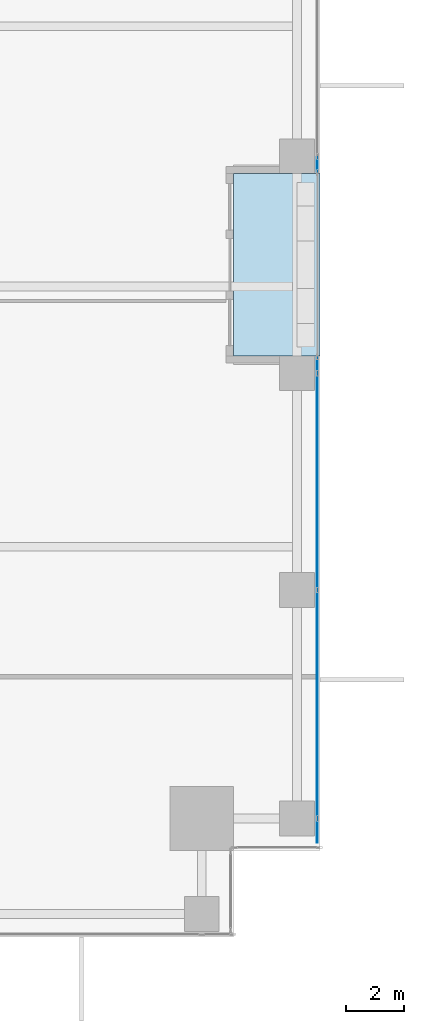
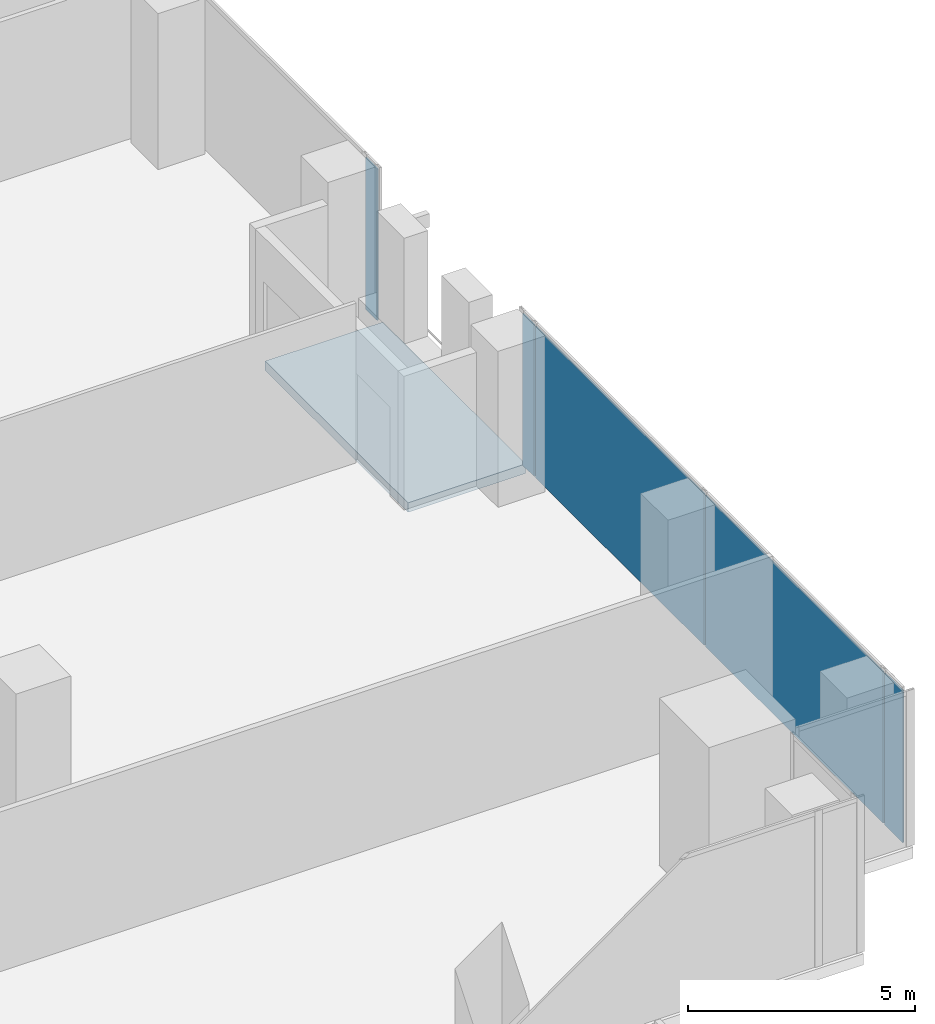
# One storey, part 24 of 33: 5 plates, 1 slab, 2 elements without a shape of their own.
"""IFC4 building model written with IfcOpenShell, lengths in metres."""

from ifc_helpers import new_model, si_unit, direction, frame, origin, origin_2d, place, context, subcontext, project, spatial, polyline, rectangle, outline, extrude, source, transform, mapped, material, layer, layer_set, type_object, element, aggregate, save


model = new_model("IFC4")

# Units and contexts
model_context = context("Model", 3, precision=1e-05, world=origin(), true_north=direction((0.0, 1.0)))
body_context = subcontext(model_context, "Body", "Model", "MODEL_VIEW")
ifc_project = project(units=[si_unit("LENGTHUNIT", "METRE"), si_unit("AREAUNIT", "SQUARE_METRE"), si_unit("VOLUMEUNIT", "CUBIC_METRE"), si_unit("PLANEANGLEUNIT", "RADIAN"), si_unit("MASSUNIT", "GRAM", prefix="KILO")], contexts=[model_context])

# Site, building, storey
site_placement = place(None, origin())
site = spatial("IfcSite", under=ifc_project, at=site_placement, CompositionType="ELEMENT")
building_placement = place(site_placement, origin())
building = spatial("IfcBuilding", under=site, at=building_placement, Name="Khomas Fold Tower", CompositionType="ELEMENT")
storey_placement = place(building_placement, frame((0.0, 0.0, 78.0)))
storey = spatial("IfcBuildingStorey", under=building, at=storey_placement, Name="L16", CompositionType="ELEMENT", Elevation=78.0)

# Curtain wall, plates
ifc_material_1 = material(Name="Aluminium framed double glazing", Category="aluminium")
curtain_wall_type = type_object("IfcCurtainWallType", Name="SK-Unitised clear-glass wall, growing floors CW1", PredefinedType="NOTDEFINED", material=ifc_material_1)
curtain_wall_1_placement = place(storey_placement, origin())
curtain_wall_1 = element("IfcCurtainWall", 1, at=curtain_wall_1_placement, inside=storey, type_object=curtain_wall_type, Name="CW1 run L16 03-0", PredefinedType="NOTDEFINED")
ifc_material_2 = material(Name="Clear double glazed unit")
ifc_layer_1 = layer(ifc_material_2, 0.031982421875)
ifc_layer_set_1 = layer_set([ifc_layer_1], Name="Clear double glazed unit")
plate_type = type_object("IfcPlateType", Name="SK-Unitised clear-glass wall, growing floors glass panel CW1-P", PredefinedType="CURTAIN_PANEL", material=ifc_layer_set_1)
shared_shape_1 = source(origin(), body_context, "Body", "SweptSolid", [
    extrude(rectangle(XDim=0.81005859375, YDim=0.031982421875, at=origin_2d()), origin(), (0.0, 0.0, 1.0), 4.080078125),
])
plate_1_placement = place(storey_placement, frame((53.89990234375, 3.6650390625, 0.0), z_axis=(0.0, 0.0, 1.0), x_axis=(0.0, 1.0, 0.0)))
plate_1 = element("IfcPlate", 2, at=plate_1_placement, type_object=plate_type, Name="CW1 glass panel 1", PredefinedType="CURTAIN_PANEL", context=body_context, shape_type="MappedRepresentation", body=[
    mapped(shared_shape_1, transform((0.0, 0.0, 0.0))),
])
shared_shape_2 = source(origin(), body_context, "Body", "SweptSolid", [
    extrude(rectangle(XDim=7.840087890625, YDim=0.031982421875, at=origin_2d()), origin(), (0.0, 0.0, 1.0), 4.080078125),
])
plate_2_placement = place(storey_placement, frame((53.89990234375, 8.050048828125, 0.0), z_axis=(0.0, 0.0, 1.0), x_axis=(0.0, 1.0, 0.0)))
plate_2 = element("IfcPlate", 3, at=plate_2_placement, type_object=plate_type, Name="CW1 glass panel 2", PredefinedType="CURTAIN_PANEL", context=body_context, shape_type="MappedRepresentation", body=[
    mapped(shared_shape_2, transform((0.0, 0.0, 0.0))),
])
shared_shape_3 = source(origin(), body_context, "Body", "SweptSolid", [
    extrude(rectangle(XDim=7.43994140625, YDim=0.031982421875, at=origin_2d()), origin(), (0.0, 0.0, 1.0), 4.080078125),
])
plate_3_placement = place(storey_placement, frame((53.89990234375, 15.75, 0.0), z_axis=(0.0, 0.0, 1.0), x_axis=(0.0, 1.0, 0.0)))
plate_3 = element("IfcPlate", 4, at=plate_3_placement, type_object=plate_type, Name="CW1 glass panel 3", PredefinedType="CURTAIN_PANEL", context=body_context, shape_type="MappedRepresentation", body=[
    mapped(shared_shape_3, transform((0.0, 0.0, 0.0))),
])
shared_shape_4 = source(origin(), body_context, "Body", "SweptSolid", [
    extrude(rectangle(XDim=0.510009765625, YDim=0.031982421875, at=origin_2d()), origin(), (0.0, 0.0, 1.0), 4.080078125),
])
plate_4_placement = place(storey_placement, frame((53.89990234375, 19.784912109375, 0.0), z_axis=(0.0, 0.0, 1.0), x_axis=(0.0, 1.0, 0.0)))
plate_4 = element("IfcPlate", 5, at=plate_4_placement, type_object=plate_type, Name="CW1 glass panel 4", PredefinedType="CURTAIN_PANEL", context=body_context, shape_type="MappedRepresentation", body=[
    mapped(shared_shape_4, transform((0.0, 0.0, 0.0))),
])
aggregate(curtain_wall_1, [plate_1, plate_2, plate_3, plate_4])

# Curtain wall, plate
curtain_wall_2_placement = place(storey_placement, origin())
curtain_wall_2 = element("IfcCurtainWall", 6, at=curtain_wall_2_placement, inside=storey, type_object=curtain_wall_type, Name="CW1 run L16 03-1", PredefinedType="NOTDEFINED")
plate_5_placement = place(storey_placement, frame((53.89990234375, 26.715087890625, 0.0), z_axis=(0.0, 0.0, 1.0), x_axis=(0.0, 1.0, 0.0)))
plate_5 = element("IfcPlate", 7, at=plate_5_placement, type_object=plate_type, Name="CW1 glass panel 1", PredefinedType="CURTAIN_PANEL", context=body_context, shape_type="MappedRepresentation", body=[
    mapped(shared_shape_4, transform((0.0, 0.0, 0.0))),
])
aggregate(curtain_wall_2, [plate_5])

# Slab
ifc_material_3 = material(Name="Concrete C40/50", Category="concrete")
ifc_layer_2 = layer(ifc_material_3, 0.2548828125)
ifc_layer_set_2 = layer_set([ifc_layer_2], Name="Concrete C40/50")
slab_type = type_object("IfcSlabType", Name="BL-Balcony deck 255", PredefinedType="FLOOR", material=ifc_layer_set_2)
shared_shape_5 = source(origin(), body_context, "Body", "SweptSolid", [
    extrude(outline(polyline([(51.0, 20.10009765625), (54.0, 20.10009765625), (54.0, 26.39990234375), (51.0, 26.39990234375), (51.0, 20.10009765625)])), origin(), (0.0, 0.0, 1.0), 0.255126953125),
])
slab_placement = place(storey_placement, frame((0.0, 0.0, -0.300048828125)))
element("IfcSlab", 8, at=slab_placement, inside=storey, type_object=slab_type, Name="Balcony deck BAL-L16-E2", PredefinedType="FLOOR", context=body_context, shape_type="MappedRepresentation", body=[
    mapped(shared_shape_5, transform((0.0, 0.0, 0.0))),
])

save(model, "model.ifc")
